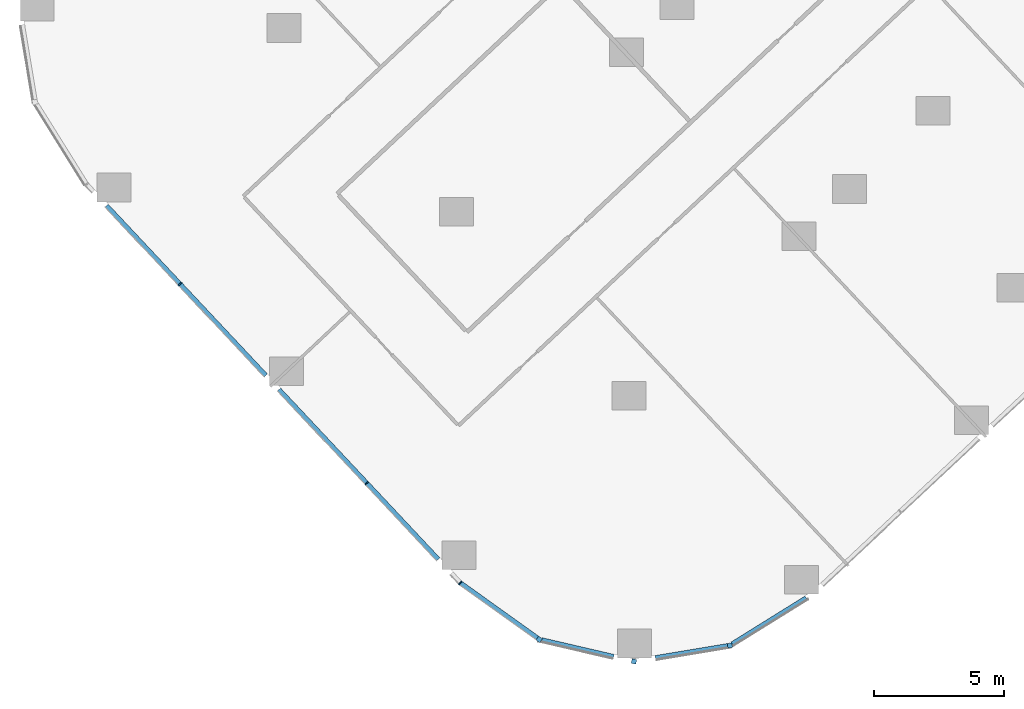
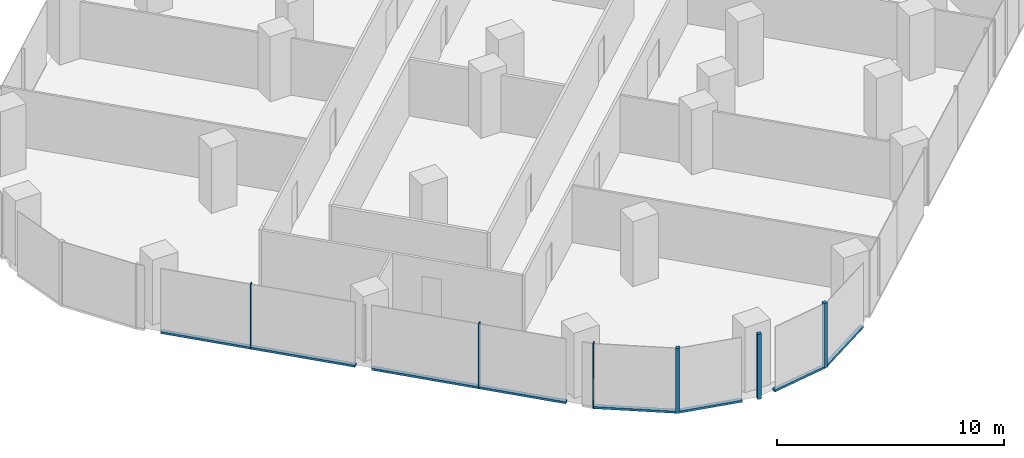
# One storey, part 2 of 34: 12 members, 5 elements without a shape of their own.
"""IFC4 building model written with IfcOpenShell, lengths in metres."""

from ifc_helpers import new_model, si_unit, direction, frame, origin, origin_2d, place, context, subcontext, project, spatial, rectangle, extrude, material, material_profile, profile_set, type_object, element, aggregate, save


model = new_model("IFC4")

# Units and contexts
model_context = context("Model", 3, precision=1e-05, world=origin(), true_north=direction((0.0, 1.0)))
body_context = subcontext(model_context, "Body", "Model", "MODEL_VIEW")
ifc_project = project(units=[si_unit("LENGTHUNIT", "METRE"), si_unit("AREAUNIT", "SQUARE_METRE"), si_unit("VOLUMEUNIT", "CUBIC_METRE"), si_unit("PLANEANGLEUNIT", "RADIAN"), si_unit("MASSUNIT", "GRAM", prefix="KILO")], contexts=[model_context])

# Site, building, storey
site_placement = place(None, origin())
site = spatial("IfcSite", under=ifc_project, at=site_placement, CompositionType="ELEMENT")
building_placement = place(site_placement, origin())
building = spatial("IfcBuilding", under=site, at=building_placement, Name="Orlundy Tower", CompositionType="ELEMENT")
storey_placement = place(building_placement, frame((0.0, 0.0, 47.800048828125)))
storey = spatial("IfcBuildingStorey", under=building, at=storey_placement, Name="L10", CompositionType="ELEMENT", Elevation=47.800048828125)

# Curtain wall, member
ifc_material_1 = material(Name="Aluminium bronze anodised", Category="aluminium")
curtain_wall_type = type_object("IfcCurtainWallType", Name="CW1 wall", PredefinedType="NOTDEFINED", material=ifc_material_1)
curtain_wall_1_placement = place(storey_placement, origin())
curtain_wall_1 = element("IfcCurtainWall", 1, at=curtain_wall_1_placement, inside=storey, type_object=curtain_wall_type, Name="CW1 run 020", PredefinedType="NOTDEFINED")
ifc_material_2 = material(Name="Aluminium bronze anodised", Category="aluminium")
ifc_material_profile_1 = material_profile(ifc_material_2, rectangle(XDim=0.179931640625, YDim=0.179931640625, at=origin_2d()), Name="CW1 corner post 180x180")
ifc_profile_set_1 = profile_set([ifc_material_profile_1], Name="Aluminium bronze anodised")
member_type_1 = type_object("IfcMemberType", Name="CW1 corner post 180x180", PredefinedType="MULLION", material=ifc_profile_set_1)
member_1_placement = place(storey_placement, frame((-26.629638671875, -51.52294921875, -0.420166015625), z_axis=(0.0, 0.0, 1.0), x_axis=(0.163786370223, -0.986495831177, 0.0)))
member_1 = element("IfcMember", 2, at=member_1_placement, type_object=member_type_1, Name="CW1 mullion 58", PredefinedType="MULLION", context=body_context, shape_type="SweptSolid", body=[
    extrude(rectangle(XDim=0.179931640625, YDim=0.179931640625, at=origin_2d()), origin(), (0.0, 0.0, 1.0), 3.5),
])

curtain_wall_2_placement = place(storey_placement, origin())
curtain_wall_2 = element("IfcCurtainWall", 3, at=curtain_wall_2_placement, inside=storey, type_object=curtain_wall_type, Name="CW1 run 021", PredefinedType="NOTDEFINED")
member_2_placement = place(storey_placement, frame((-30.321044921875, -52.1357421875, -0.420166015625), z_axis=(0.0, 0.0, 1.0), x_axis=(-0.226317097073, -0.974053680026, 0.0)))
member_2 = element("IfcMember", 4, at=member_2_placement, type_object=member_type_1, Name="CW1 mullion 59", PredefinedType="MULLION", context=body_context, shape_type="SweptSolid", body=[
    extrude(rectangle(XDim=0.179931640625, YDim=0.179931640625, at=origin_2d()), origin(), (0.0, 0.0, 1.0), 3.5),
])

curtain_wall_3_placement = place(storey_placement, origin())
curtain_wall_3 = element("IfcCurtainWall", 5, at=curtain_wall_3_placement, inside=storey, type_object=curtain_wall_type, Name="CW1 run 022", PredefinedType="NOTDEFINED")
member_3_placement = place(storey_placement, frame((-33.966796875, -51.28857421875, -0.420166015625), z_axis=(0.0, 0.0, 1.0), x_axis=(-0.58197810512, -0.813204454711, 0.0)))
member_3 = element("IfcMember", 6, at=member_3_placement, type_object=member_type_1, Name="CW1 mullion 60", PredefinedType="MULLION", context=body_context, shape_type="SweptSolid", body=[
    extrude(rectangle(XDim=0.179931640625, YDim=0.179931640625, at=origin_2d()), origin(), (0.0, 0.0, 1.0), 3.5),
])

# Curtain wall, members
curtain_wall_4_placement = place(storey_placement, origin())
curtain_wall_4 = element("IfcCurtainWall", 7, at=curtain_wall_4_placement, inside=storey, type_object=curtain_wall_type, Name="CW1 run 023", PredefinedType="NOTDEFINED")
ifc_material_3 = material(Name="Aluminium bronze anodised", Category="aluminium")
ifc_material_profile_2 = material_profile(ifc_material_3, rectangle(XDim=0.179931640625, YDim=0.050048828125, at=origin_2d()), Name="CW1 mullion 50x180")
ifc_profile_set_2 = profile_set([ifc_material_profile_2], Name="Aluminium bronze anodised")
member_type_2 = type_object("IfcMemberType", Name="CW1 mullion 50x180", PredefinedType="MULLION", material=ifc_profile_set_2)
member_4_placement = place(storey_placement, frame((-37.002685546875, -49.115966796875, -0.420166015625), z_axis=(0.0, 0.0, 1.0), x_axis=(-0.658839468913, -0.752283559705, 0.0)))
member_4 = element("IfcMember", 8, at=member_4_placement, type_object=member_type_2, Name="CW1 mullion 61", PredefinedType="MULLION", context=body_context, shape_type="SweptSolid", body=[
    extrude(rectangle(XDim=0.179931640625, YDim=0.050048828125, at=origin_2d()), origin(), (0.0, 0.0, 1.0), 3.5),
])
member_5_placement = place(storey_placement, frame((-40.600341796875, -45.2802734375, -0.420166015625), z_axis=(0.0, 0.0, 1.0), x_axis=(-0.729363439598, -0.684126430551, 0.0)))
member_5 = element("IfcMember", 9, at=member_5_placement, type_object=member_type_2, Name="CW1 mullion 62", PredefinedType="MULLION", context=body_context, shape_type="SweptSolid", body=[
    extrude(rectangle(XDim=0.179931640625, YDim=0.050048828125, at=origin_2d()), origin(), (0.0, 0.0, 1.0), 3.5),
])
member_6_placement = place(storey_placement, frame((-47.783935546875, -37.621826171875, -0.420166015625), z_axis=(0.0, 0.0, 1.0), x_axis=(-0.729363439598, -0.684126430551, 0.0)))
member_6 = element("IfcMember", 10, at=member_6_placement, type_object=member_type_2, Name="CW1 mullion 64", PredefinedType="MULLION", context=body_context, shape_type="SweptSolid", body=[
    extrude(rectangle(XDim=0.179931640625, YDim=0.050048828125, at=origin_2d()), origin(), (0.0, 0.0, 1.0), 3.5),
])

# Curtain wall, member
curtain_wall_5_placement = place(storey_placement, origin())
curtain_wall_5 = element("IfcCurtainWall", 11, at=curtain_wall_5_placement, inside=storey, type_object=curtain_wall_type, Name="CW1 run 019", PredefinedType="NOTDEFINED")
ifc_material_4 = material(Name="Aluminium bronze anodised", Category="aluminium")
ifc_material_profile_3 = material_profile(ifc_material_4, rectangle(XDim=0.179931640625, YDim=0.1201171875, at=origin_2d()), Name="CW1 transom 180x120")
ifc_profile_set_3 = profile_set([ifc_material_profile_3], Name="Aluminium bronze anodised")
member_type_3 = type_object("IfcMemberType", Name="CW1 transom 180x120", PredefinedType="USERDEFINED", material=ifc_profile_set_3)
member_7_placement = place(storey_placement, frame((-23.691650390625, -49.694091796875, -0.360107421875), z_axis=(-0.848955285955, -0.528464684203, 0.0), x_axis=(0.528464684203, -0.848955285955, 0.0)))
member_7 = element("IfcMember", 12, at=member_7_placement, type_object=member_type_3, Name="CW1 transom", ObjectType="TRANSOM", PredefinedType="USERDEFINED", context=body_context, shape_type="SweptSolid", body=[
    extrude(rectangle(XDim=0.179931640625, YDim=0.1201171875, at=origin_2d()), origin(), (0.0, 0.0, 1.0), 3.36328125),
])
aggregate(curtain_wall_5, [member_7])

# Member
member_8_placement = place(storey_placement, frame((-26.718505859375, -51.53759765625, -0.360107421875), z_axis=(-0.986494403283, -0.163794970288, 0.0), x_axis=(0.163794970288, -0.986494403283, 0.0)))
member_8 = element("IfcMember", 13, at=member_8_placement, type_object=member_type_3, Name="CW1 transom", ObjectType="TRANSOM", PredefinedType="USERDEFINED", context=body_context, shape_type="SweptSolid", body=[
    extrude(rectangle(XDim=0.179931640625, YDim=0.1201171875, at=origin_2d()), origin(), (0.0, 0.0, 1.0), 2.818603515625),
])

aggregate(curtain_wall_1, [member_1, member_8])

member_9_placement = place(storey_placement, frame((-31.09912109375, -51.954833984375, -0.360107421875), z_axis=(-0.974048936102, 0.226337513637, 0.0), x_axis=(-0.226337513637, -0.974048936102, 0.0)))
member_9 = element("IfcMember", 14, at=member_9_placement, type_object=member_type_3, Name="CW1 transom", ObjectType="TRANSOM", PredefinedType="USERDEFINED", context=body_context, shape_type="SweptSolid", body=[
    extrude(rectangle(XDim=0.179931640625, YDim=0.1201171875, at=origin_2d()), origin(), (0.0, 0.0, 1.0), 2.8466796875),
])

aggregate(curtain_wall_2, [member_2, member_9])

member_10_placement = place(storey_placement, frame((-34.0400390625, -51.236328125, -0.360107421875), z_axis=(-0.813185985987, 0.582003910807, 0.0), x_axis=(-0.582003910807, -0.813185985987, 0.0)))
member_10 = element("IfcMember", 15, at=member_10_placement, type_object=member_type_3, Name="CW1 transom", ObjectType="TRANSOM", PredefinedType="USERDEFINED", context=body_context, shape_type="SweptSolid", body=[
    extrude(rectangle(XDim=0.179931640625, YDim=0.1201171875, at=origin_2d()), origin(), (0.0, 0.0, 1.0), 3.617919921875),
])

aggregate(curtain_wall_3, [member_3, member_10])

member_11_placement = place(storey_placement, frame((-37.85302734375, -48.20947265625, -0.360107421875), z_axis=(-0.684112537664, 0.729376470563, 0.0), x_axis=(-0.729376470563, -0.684112537664, 0.0)))
member_11 = element("IfcMember", 16, at=member_11_placement, type_object=member_type_3, Name="CW1 transom", ObjectType="TRANSOM", PredefinedType="USERDEFINED", context=body_context, shape_type="SweptSolid", body=[
    extrude(rectangle(XDim=0.179931640625, YDim=0.1201171875, at=origin_2d()), origin(), (0.0, 0.0, 1.0), 8.95361328125),
])

member_12_placement = place(storey_placement, frame((-44.489013671875, -41.134521484375, -0.360107421875), z_axis=(-0.684127043259, 0.729362864891, 0.0), x_axis=(-0.729362864891, -0.684127043259, 0.0)))
member_12 = element("IfcMember", 17, at=member_12_placement, type_object=member_type_3, Name="CW1 transom", ObjectType="TRANSOM", PredefinedType="USERDEFINED", context=body_context, shape_type="SweptSolid", body=[
    extrude(rectangle(XDim=0.179931640625, YDim=0.1201171875, at=origin_2d()), origin(), (0.0, 0.0, 1.0), 8.95361328125),
])

aggregate(curtain_wall_4, [member_4, member_5, member_6, member_11, member_12])

save(model, "model.ifc")
